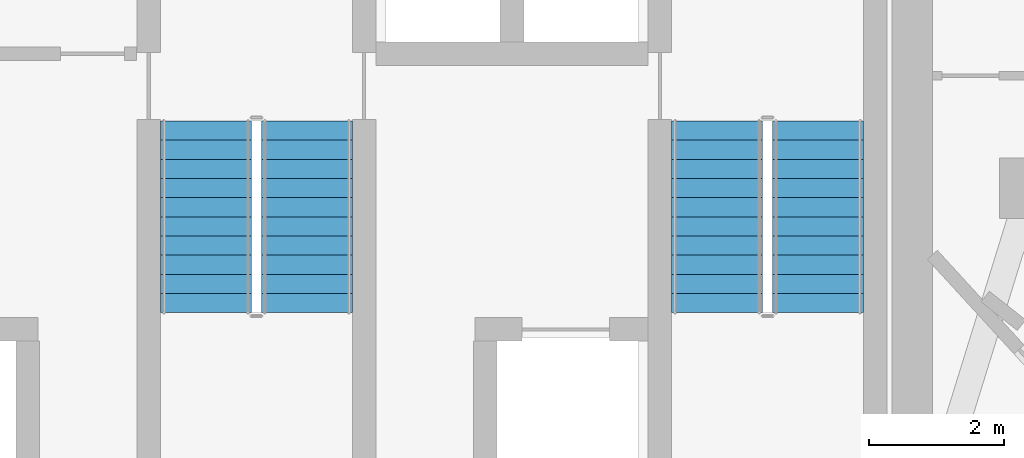
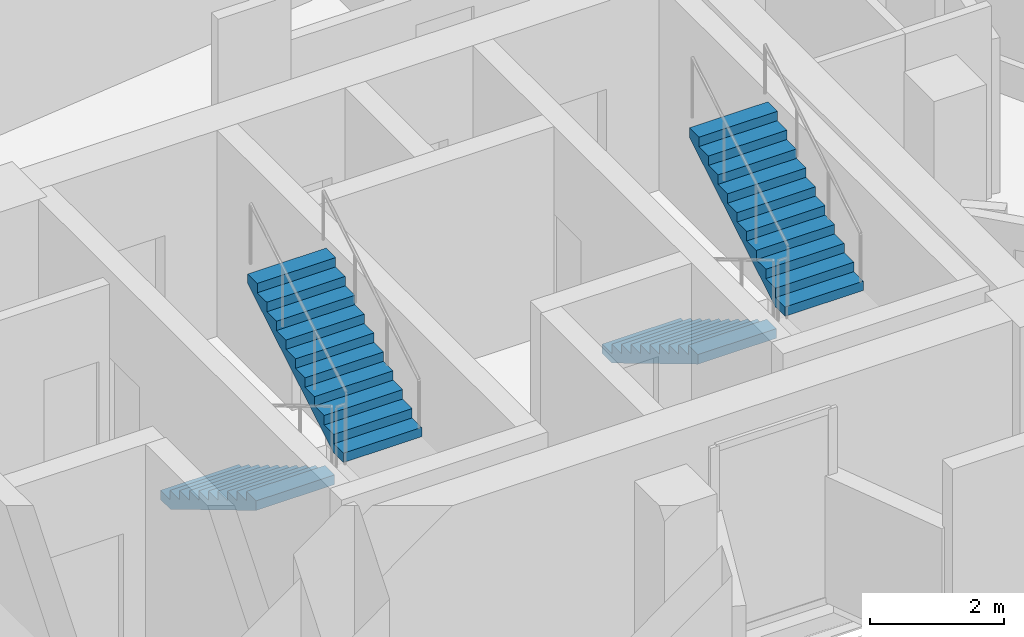
# One storey, part 8 of 9: 4 stair flights, 2 elements without a shape of their own.
"""IFC4 building model written with IfcOpenShell, lengths in metres."""

from ifc_helpers import new_model, si_unit, direction, frame, origin, place, context, subcontext, project, spatial, polyline, outline, extrude, material, type_object, element, aggregate, save


model = new_model("IFC4")

# Units and contexts
model_context = context("Model", 3, precision=1e-05, world=origin(), true_north=direction((0.0, 1.0)))
body_context = subcontext(model_context, "Body", "Model", "MODEL_VIEW")
ifc_project = project(units=[si_unit("LENGTHUNIT", "METRE"), si_unit("AREAUNIT", "SQUARE_METRE"), si_unit("VOLUMEUNIT", "CUBIC_METRE"), si_unit("PLANEANGLEUNIT", "RADIAN"), si_unit("MASSUNIT", "GRAM", prefix="KILO")], contexts=[model_context])

# Site, building, storey
site_placement = place(None, origin())
site = spatial("IfcSite", under=ifc_project, at=site_placement, CompositionType="ELEMENT")
building_placement = place(site_placement, origin())
building = spatial("IfcBuilding", under=site, at=building_placement, Name="Almagre Mirador Tower", CompositionType="ELEMENT")
storey_placement = place(building_placement, frame((0.0, 0.0, 248.25)))
storey = spatial("IfcBuildingStorey", under=building, at=storey_placement, Name="L64", CompositionType="ELEMENT", Elevation=248.25)

# Stair, stair flights
ifc_material_1 = material(Name="Concrete C45/55", Category="concrete")
stair_type = type_object("IfcStairType", Name="STR-DL-3750", PredefinedType="HALF_TURN_STAIR", material=ifc_material_1)
stair_1_placement = place(storey_placement, origin())
stair_1 = element("IfcStair", 1, at=stair_1_placement, inside=storey, type_object=stair_type, Name="L64 Protected exit stair ST-2", PredefinedType="HALF_TURN_STAIR")
ifc_material_2 = material(Name="Concrete C45/55", Category="concrete")
stair_flight_type = type_object("IfcStairFlightType", Name="FLT-DL-3750", PredefinedType="STRAIGHT", material=ifc_material_2)
stair_flight_1_placement = place(storey_placement, frame((36.550048828125, 11.199951171875, 0.0), z_axis=(0.0, 0.0, 1.0), x_axis=(0.0, -1.0, 0.0)))
stair_flight_1 = element("IfcStairFlight", 2, at=stair_flight_1_placement, type_object=stair_flight_type, Name="ST-2 flight 1", NumberOfRisers=11, NumberOfTreads=10, PredefinedType="STRAIGHT", RiserHeight=0.170454545, TreadLength=0.285, context=body_context, shape_type="SweptSolid", body=[
    extrude(outline(polyline([(0.0, 0.0), (0.0, 0.17041015625), (0.284912109375, 0.17041015625), (0.284912109375, 0.3408203125), (0.570068359375, 0.3408203125), (0.570068359375, 0.511474609375), (0.85498046875, 0.511474609375), (0.85498046875, 0.681884765625), (1.139892578125, 0.681884765625), (1.139892578125, 0.852294921875), (1.425048828125, 0.852294921875), (1.425048828125, 1.022705078125), (1.7099609375, 1.022705078125), (1.7099609375, 1.193115234375), (1.9951171875, 1.193115234375), (1.9951171875, 1.363525390625), (2.280029296875, 1.363525390625), (2.280029296875, 1.5341796875), (2.56494140625, 1.5341796875), (2.56494140625, 1.70458984375), (2.85009765625, 1.70458984375), (2.85009765625, 1.875), (2.85009765625, 1.52978515625), (0.2919921875, 0.0), (0.0, 0.0)])), frame((0.0, 0.675048828125, 0.0), z_axis=(0.0, -1.0, 0.0), x_axis=(1.0, 0.0, 0.0)), (0.0, 0.0, 1.0), 1.35009765625),
])
stair_flight_2_placement = place(storey_placement, frame((38.050048828125, 8.35009765625, 1.875), z_axis=(0.0, 0.0, 1.0), x_axis=(0.0, 1.0, 0.0)))
stair_flight_2 = element("IfcStairFlight", 3, at=stair_flight_2_placement, type_object=stair_flight_type, Name="ST-2 flight 2", NumberOfRisers=11, NumberOfTreads=10, PredefinedType="STRAIGHT", RiserHeight=0.170454545, TreadLength=0.285, context=body_context, shape_type="SweptSolid", body=[
    extrude(outline(polyline([(0.0, 0.0), (0.0, 0.17041015625), (0.284912109375, 0.17041015625), (0.284912109375, 0.3408203125), (0.570068359375, 0.3408203125), (0.570068359375, 0.511474609375), (0.85498046875, 0.511474609375), (0.85498046875, 0.681884765625), (1.139892578125, 0.681884765625), (1.139892578125, 0.852294921875), (1.425048828125, 0.852294921875), (1.425048828125, 1.022705078125), (1.7099609375, 1.022705078125), (1.7099609375, 1.193115234375), (1.9951171875, 1.193115234375), (1.9951171875, 1.363525390625), (2.280029296875, 1.363525390625), (2.280029296875, 1.5341796875), (2.56494140625, 1.5341796875), (2.56494140625, 1.70458984375), (2.85009765625, 1.70458984375), (2.85009765625, 1.875), (2.85009765625, 1.52978515625), (0.2919921875, 0.0), (0.0, 0.0)])), frame((0.0, 0.675048828125, 0.0), z_axis=(0.0, -1.0, 0.0), x_axis=(1.0, 0.0, 0.0)), (0.0, 0.0, 1.0), 1.35009765625),
])
aggregate(stair_1, [stair_flight_1, stair_flight_2])

stair_2_placement = place(storey_placement, origin())
stair_2 = element("IfcStair", 4, at=stair_2_placement, inside=storey, type_object=stair_type, Name="L64 Protected exit stair ST-3", PredefinedType="HALF_TURN_STAIR")
stair_flight_3_placement = place(storey_placement, frame((44.14990234375, 11.199951171875, 0.0), z_axis=(0.0, 0.0, 1.0), x_axis=(0.0, -1.0, 0.0)))
stair_flight_3 = element("IfcStairFlight", 5, at=stair_flight_3_placement, type_object=stair_flight_type, Name="ST-3 flight 1", NumberOfRisers=11, NumberOfTreads=10, PredefinedType="STRAIGHT", RiserHeight=0.170454545, TreadLength=0.285, context=body_context, shape_type="SweptSolid", body=[
    extrude(outline(polyline([(0.0, 0.0), (0.0, 0.17041015625), (0.284912109375, 0.17041015625), (0.284912109375, 0.3408203125), (0.570068359375, 0.3408203125), (0.570068359375, 0.511474609375), (0.85498046875, 0.511474609375), (0.85498046875, 0.681884765625), (1.139892578125, 0.681884765625), (1.139892578125, 0.852294921875), (1.425048828125, 0.852294921875), (1.425048828125, 1.022705078125), (1.7099609375, 1.022705078125), (1.7099609375, 1.193115234375), (1.9951171875, 1.193115234375), (1.9951171875, 1.363525390625), (2.280029296875, 1.363525390625), (2.280029296875, 1.5341796875), (2.56494140625, 1.5341796875), (2.56494140625, 1.70458984375), (2.85009765625, 1.70458984375), (2.85009765625, 1.875), (2.85009765625, 1.52978515625), (0.2919921875, 0.0), (0.0, 0.0)])), frame((0.0, 0.675048828125, 0.0), z_axis=(0.0, -1.0, 0.0), x_axis=(1.0, 0.0, 0.0)), (0.0, 0.0, 1.0), 1.35009765625),
])
stair_flight_4_placement = place(storey_placement, frame((45.64990234375, 8.35009765625, 1.875), z_axis=(0.0, 0.0, 1.0), x_axis=(0.0, 1.0, 0.0)))
stair_flight_4 = element("IfcStairFlight", 6, at=stair_flight_4_placement, type_object=stair_flight_type, Name="ST-3 flight 2", NumberOfRisers=11, NumberOfTreads=10, PredefinedType="STRAIGHT", RiserHeight=0.170454545, TreadLength=0.285, context=body_context, shape_type="SweptSolid", body=[
    extrude(outline(polyline([(0.0, 0.0), (0.0, 0.17041015625), (0.284912109375, 0.17041015625), (0.284912109375, 0.3408203125), (0.570068359375, 0.3408203125), (0.570068359375, 0.511474609375), (0.85498046875, 0.511474609375), (0.85498046875, 0.681884765625), (1.139892578125, 0.681884765625), (1.139892578125, 0.852294921875), (1.425048828125, 0.852294921875), (1.425048828125, 1.022705078125), (1.7099609375, 1.022705078125), (1.7099609375, 1.193115234375), (1.9951171875, 1.193115234375), (1.9951171875, 1.363525390625), (2.280029296875, 1.363525390625), (2.280029296875, 1.5341796875), (2.56494140625, 1.5341796875), (2.56494140625, 1.70458984375), (2.85009765625, 1.70458984375), (2.85009765625, 1.875), (2.85009765625, 1.52978515625), (0.2919921875, 0.0), (0.0, 0.0)])), frame((0.0, 0.675048828125, 0.0), z_axis=(0.0, -1.0, 0.0), x_axis=(1.0, 0.0, 0.0)), (0.0, 0.0, 1.0), 1.35009765625),
])
aggregate(stair_2, [stair_flight_3, stair_flight_4])

save(model, "model.ifc")
